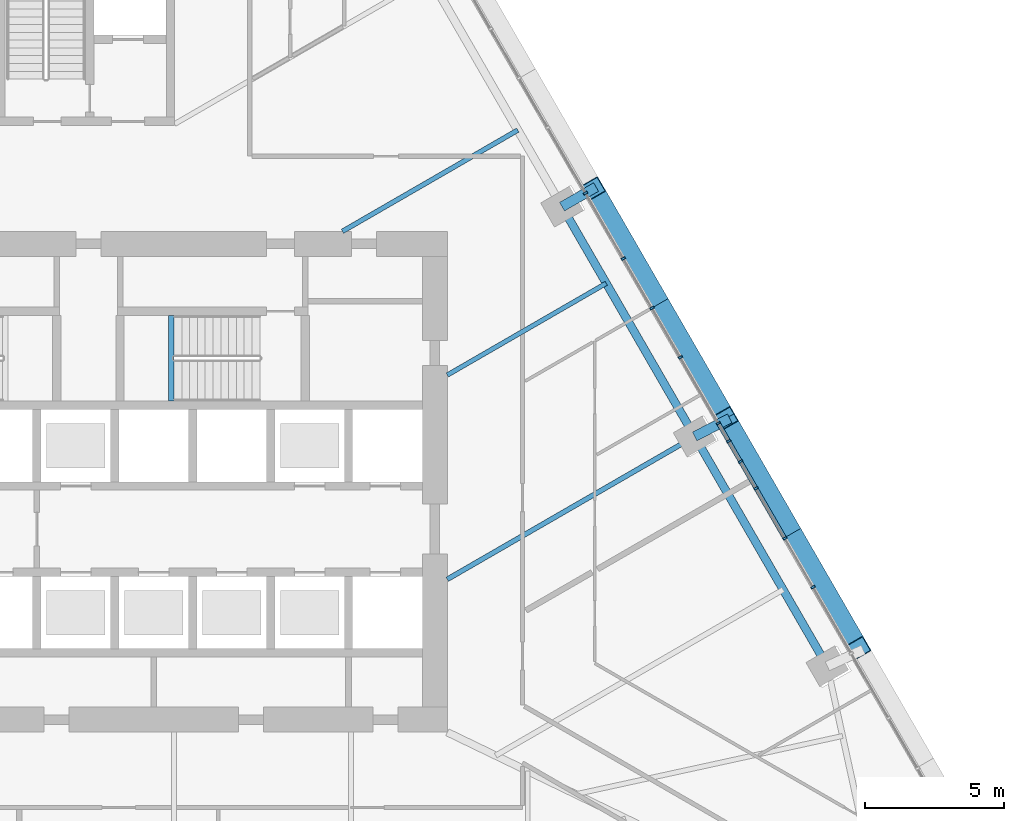
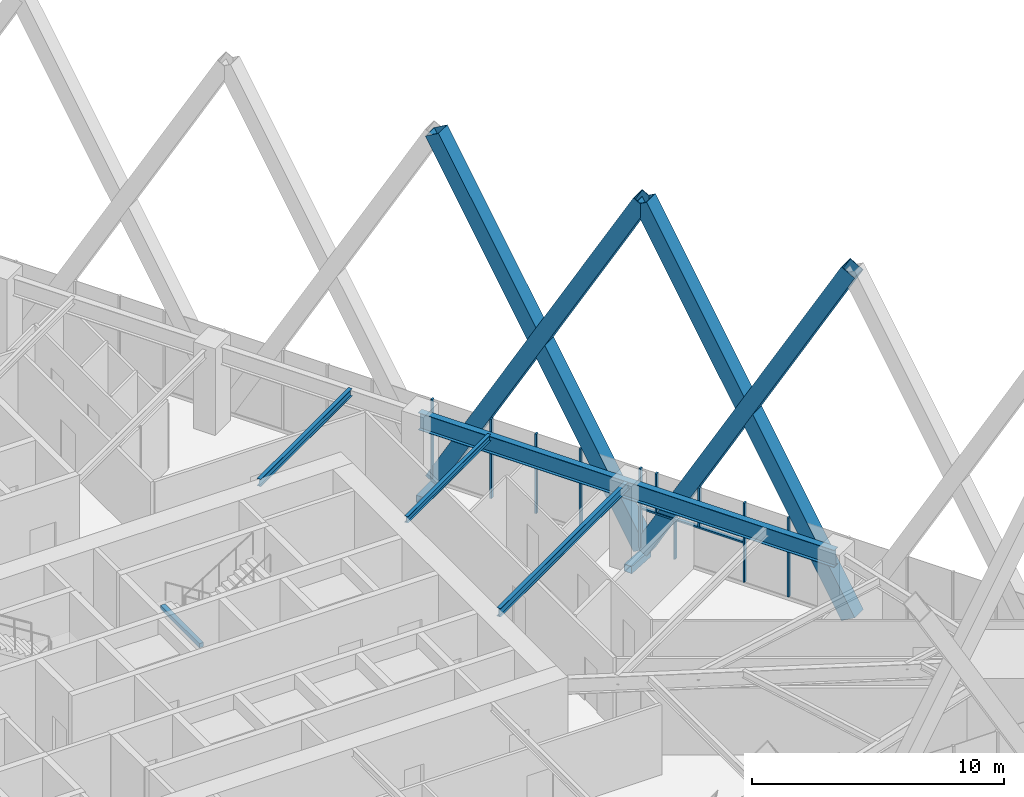
# One storey, part 8 of 23: 17 members, 5 beams, 1 element without a shape of its own.
"""IFC4 building model written with IfcOpenShell, lengths in metres."""

from ifc_helpers import new_model, si_unit, direction, frame, origin, origin_2d, place, context, subcontext, project, spatial, rectangle, hollow_rectangle, i_section, extrude, material, layer, layer_set, material_profile, profile_set, type_object, element, aggregate, save


model = new_model("IFC4")

# Units and contexts
model_context = context("Model", 3, precision=1e-05, world=origin(), true_north=direction((0.0, 1.0)))
body_context = subcontext(model_context, "Body", "Model", "MODEL_VIEW")
ifc_project = project(units=[si_unit("LENGTHUNIT", "METRE"), si_unit("AREAUNIT", "SQUARE_METRE"), si_unit("VOLUMEUNIT", "CUBIC_METRE"), si_unit("PLANEANGLEUNIT", "RADIAN"), si_unit("MASSUNIT", "GRAM", prefix="KILO")], contexts=[model_context])

# Site, building, storey
site_placement = place(None, origin())
site = spatial("IfcSite", under=ifc_project, at=site_placement, CompositionType="ELEMENT")
building_placement = place(site_placement, origin())
building = spatial("IfcBuilding", under=site, at=building_placement, Name="Firuza Gate Tower and Library", CompositionType="ELEMENT")
storey_placement = place(building_placement, frame((0.0, 0.0, 56.800048828125)))
storey = spatial("IfcBuildingStorey", under=building, at=storey_placement, Name="L12", CompositionType="ELEMENT", Elevation=56.800048828125)

# Members
ifc_material_1 = material(Name="Steel S355", Category="steel")
ifc_material_profile_1 = material_profile(ifc_material_1, hollow_rectangle(XDim=0.699951171875, YDim=0.699951171875, WallThickness=0.030029296875, at=origin_2d()))
ifc_profile_set_1 = profile_set([ifc_material_profile_1], Name="Steel S355")
member_type_1 = type_object("IfcMemberType", Name="BU700x700x30 Lattice brace", PredefinedType="BRACE", material=ifc_profile_set_1)
for number, where, z_axis, x_axis, name in (
    (1, (102.782470703125, 69.021484375, 0.0), (-0.246782210514, 0.427451661466, 0.86970317792), (-0.866031651222, -0.499989178965, 0.0), "Lattice brace E 2.2R"),
    (2, (98.015380859375, 77.278564453125, 0.0), (0.246782210514, -0.427451661466, 0.86970317792), (0.866031651222, 0.499989178965, 0.0), "Lattice brace E 2.2L"),
):
    element("IfcMember", number, at=place(storey_placement, frame(where, z_axis=z_axis, x_axis=x_axis)), inside=storey, type_object=member_type_1, Name=name, PredefinedType="BRACE", context=body_context, shape_type="SweptSolid", body=[
        extrude(hollow_rectangle(XDim=0.699951171875, YDim=0.699951171875, WallThickness=0.030029296875, at=origin_2d()), origin(), (0.0, 0.0, 1.0), 19.31689453125),
    ])
for number, where, z_axis, x_axis, name in (
    (3, (98.015380859375, 77.278564453125, 0.0), (-0.246794079392, 0.427450328219, 0.869700465265), (-0.866020563445, -0.50000838362, 0.0), "Lattice brace E 2.3R"),
    (4, (93.248046875, 85.53564453125, 0.0), (0.246794079392, -0.427450328219, 0.869700465265), (0.866020563445, 0.50000838362, 0.0), "Lattice brace E 2.3L"),
):
    element("IfcMember", number, at=place(storey_placement, frame(where, z_axis=z_axis, x_axis=x_axis)), inside=storey, type_object=member_type_1, Name=name, PredefinedType="BRACE", context=body_context, shape_type="SweptSolid", body=[
        extrude(hollow_rectangle(XDim=0.699951171875, YDim=0.699951171875, WallThickness=0.030029296875, at=origin_2d()), origin(), (0.0, 0.0, 1.0), 19.317138671875),
    ])

# Curtain wall, members
ifc_material_2 = material(Name="Aluminium 6063-T6", Category="aluminium")
ifc_layer = layer(ifc_material_2, 0.14990234375)
ifc_layer_set = layer_set([ifc_layer], Name="Unitised curtain wall, offices")
curtain_wall_type = type_object("IfcCurtainWallType", Name="Unitised curtain wall, offices", PredefinedType="NOTDEFINED", material=ifc_layer_set)
curtain_wall_placement = place(storey_placement, origin())
curtain_wall = element("IfcCurtainWall", 5, at=curtain_wall_placement, inside=storey, type_object=curtain_wall_type, Name="CW1 L12 E face", PredefinedType="NOTDEFINED")
ifc_material_3 = material(Name="Aluminium 6063-T6", Category="aluminium")
ifc_material_profile_2 = material_profile(ifc_material_3, rectangle(XDim=0.14990234375, YDim=0.080078125, at=origin_2d()))
ifc_profile_set_2 = profile_set([ifc_material_profile_2], Name="Aluminium 6063-T6")
member_type_2 = type_object("IfcMemberType", Name="Curtain wall mullion 80x150", PredefinedType="MULLION", material=ifc_profile_set_2)
member_1_placement = place(storey_placement, frame((100.12841796875, 72.96875, 0.14990234375), z_axis=(0.0, 0.0, 1.0), x_axis=(-0.866025403784, -0.5, 0.0)))
member_1 = element("IfcMember", 6, at=member_1_placement, type_object=member_type_2, Name="Mullion", PredefinedType="MULLION", context=body_context, shape_type="SweptSolid", body=[
    extrude(rectangle(XDim=0.14990234375, YDim=0.080078125, at=origin_2d()), origin(), (0.0, 0.0, 1.0), 3.85009765625),
])
member_2_placement = place(storey_placement, frame((97.740966796875, 77.103515625, 0.14990234375), z_axis=(0.0, 0.0, 1.0), x_axis=(-0.866025403784, -0.5, 0.0)))
member_2 = element("IfcMember", 7, at=member_2_placement, type_object=member_type_2, Name="Mullion", PredefinedType="MULLION", context=body_context, shape_type="SweptSolid", body=[
    extrude(rectangle(XDim=0.14990234375, YDim=0.080078125, at=origin_2d()), origin(), (0.0, 0.0, 1.0), 3.85009765625),
])
member_3_placement = place(storey_placement, frame((95.353759765625, 81.23828125, 0.14990234375), z_axis=(0.0, 0.0, 1.0), x_axis=(-0.866025403784, -0.5, 0.0)))
member_3 = element("IfcMember", 8, at=member_3_placement, type_object=member_type_2, Name="Mullion", PredefinedType="MULLION", context=body_context, shape_type="SweptSolid", body=[
    extrude(rectangle(XDim=0.14990234375, YDim=0.080078125, at=origin_2d()), origin(), (0.0, 0.0, 1.0), 3.85009765625),
])
member_4_placement = place(storey_placement, frame((92.966552734375, 85.373046875, 0.14990234375), z_axis=(0.0, 0.0, 1.0), x_axis=(-0.866025403784, -0.5, 0.0)))
member_4 = element("IfcMember", 9, at=member_4_placement, type_object=member_type_2, Name="Mullion", PredefinedType="MULLION", context=body_context, shape_type="SweptSolid", body=[
    extrude(rectangle(XDim=0.14990234375, YDim=0.080078125, at=origin_2d()), origin(), (0.0, 0.0, 1.0), 3.85009765625),
])
member_5_placement = place(storey_placement, frame((101.142333984375, 71.21240234375, 0.14990234375), z_axis=(0.0, 0.0, 1.0), x_axis=(-0.866025403784, -0.5, 0.0)))
member_5 = element("IfcMember", 10, at=member_5_placement, type_object=member_type_2, Name="Mullion", PredefinedType="MULLION", context=body_context, shape_type="SweptSolid", body=[
    extrude(rectangle(XDim=0.14990234375, YDim=0.080078125, at=origin_2d()), origin(), (0.0, 0.0, 1.0), 3.85009765625),
])
member_6_placement = place(storey_placement, frame((98.53515625, 75.728271484375, 0.14990234375), z_axis=(0.0, 0.0, 1.0), x_axis=(-0.866025403784, -0.5, 0.0)))
member_6 = element("IfcMember", 11, at=member_6_placement, type_object=member_type_2, Name="Mullion", PredefinedType="MULLION", context=body_context, shape_type="SweptSolid", body=[
    extrude(rectangle(XDim=0.14990234375, YDim=0.080078125, at=origin_2d()), origin(), (0.0, 0.0, 1.0), 1.885009765625),
])
member_7_placement = place(storey_placement, frame((99.092529296875, 74.762451171875, 2.114990234375), z_axis=(0.0, 0.0, 1.0), x_axis=(-0.866025403784, -0.5, 0.0)))
member_7 = element("IfcMember", 12, at=member_7_placement, type_object=member_type_2, Name="Mullion", PredefinedType="MULLION", context=body_context, shape_type="SweptSolid", body=[
    extrude(rectangle(XDim=0.14990234375, YDim=0.080078125, at=origin_2d()), origin(), (0.0, 0.0, 1.0), 1.885009765625),
])
member_8_placement = place(storey_placement, frame((98.1103515625, 76.4638671875, 2.114990234375), z_axis=(0.0, 0.0, 1.0), x_axis=(-0.866025403784, -0.5, 0.0)))
member_8 = element("IfcMember", 13, at=member_8_placement, type_object=member_type_2, Name="Mullion", PredefinedType="MULLION", context=body_context, shape_type="SweptSolid", body=[
    extrude(rectangle(XDim=0.14990234375, YDim=0.080078125, at=origin_2d()), origin(), (0.0, 0.0, 1.0), 1.885009765625),
])
member_9_placement = place(storey_placement, frame((96.375, 79.469482421875, 0.14990234375), z_axis=(0.0, 0.0, 1.0), x_axis=(-0.866025403784, -0.5, 0.0)))
member_9 = element("IfcMember", 14, at=member_9_placement, type_object=member_type_2, Name="Mullion", PredefinedType="MULLION", context=body_context, shape_type="SweptSolid", body=[
    extrude(rectangle(XDim=0.14990234375, YDim=0.080078125, at=origin_2d()), origin(), (0.0, 0.0, 1.0), 3.85009765625),
])
member_10_placement = place(storey_placement, frame((94.325439453125, 83.01953125, 0.14990234375), z_axis=(0.0, 0.0, 1.0), x_axis=(-0.866025403784, -0.5, 0.0)))
member_10 = element("IfcMember", 15, at=member_10_placement, type_object=member_type_2, Name="Mullion", PredefinedType="MULLION", context=body_context, shape_type="SweptSolid", body=[
    extrude(rectangle(XDim=0.14990234375, YDim=0.080078125, at=origin_2d()), origin(), (0.0, 0.0, 1.0), 3.85009765625),
])
ifc_material_4 = material(Name="Aluminium 6063-T6", Category="aluminium")
ifc_material_profile_3 = material_profile(ifc_material_4, rectangle(XDim=0.14990234375, YDim=0.080078125, at=origin_2d()))
ifc_profile_set_3 = profile_set([ifc_material_profile_3], Name="Aluminium 6063-T6")
member_type_3 = type_object("IfcMemberType", Name="Curtain wall transom 80x150", PredefinedType="USERDEFINED", material=ifc_profile_set_3)
member_11_placement = place(storey_placement, frame((100.1083984375, 73.00341796875, 2.074951171875), z_axis=(-0.500037573236, 0.86600370978, 0.0), x_axis=(-0.86600370978, -0.500037573236, 0.0)))
member_11 = element("IfcMember", 16, at=member_11_placement, type_object=member_type_3, Name="Transom", ObjectType="TRANSOM", PredefinedType="USERDEFINED", context=body_context, shape_type="SweptSolid", body=[
    extrude(rectangle(XDim=0.14990234375, YDim=0.080078125, at=origin_2d()), origin(), (0.0, 0.0, 1.0), 4.694580078125),
])
aggregate(curtain_wall, [member_1, member_2, member_3, member_4, member_5, member_6, member_7, member_8, member_11, member_9, member_10])

# Members
ifc_material_5 = material(Name="Steel S355", Category="steel")
ifc_material_profile_4 = material_profile(ifc_material_5, hollow_rectangle(XDim=0.355712890625, YDim=0.355712890625, WallThickness=0.014892578125, at=origin_2d()))
ifc_profile_set_4 = profile_set([ifc_material_profile_4], Name="Steel S355")
member_type_4 = type_object("IfcMemberType", Name="HSS356x356x16 Lattice node tie", PredefinedType="BRACE", material=ifc_profile_set_4)
member_12_placement = place(storey_placement, frame((92.122314453125, 84.885498046875, -0.320068359375), z_axis=(0.866013007135, 0.500021471012, 0.0), x_axis=(-0.500021471012, 0.866013007135, 0.0)))
element("IfcMember", 17, at=member_12_placement, inside=storey, type_object=member_type_4, Name="Lattice node tie E L12 25", PredefinedType="BRACE", context=body_context, shape_type="SweptSolid", body=[
    extrude(hollow_rectangle(XDim=0.355712890625, YDim=0.355712890625, WallThickness=0.014892578125, at=origin_2d()), origin(), (0.0, 0.0, 1.0), 1.41357421875),
])
member_13_placement = place(storey_placement, frame((96.889404296875, 76.62841796875, -0.320068359375), z_axis=(0.888237061505, 0.459385374789, 0.0), x_axis=(-0.459385374789, 0.888237061505, 0.0)))
element("IfcMember", 18, at=member_13_placement, inside=storey, type_object=member_type_4, Name="Lattice node tie E L12 26", PredefinedType="BRACE", context=body_context, shape_type="SweptSolid", body=[
    extrude(hollow_rectangle(XDim=0.355712890625, YDim=0.355712890625, WallThickness=0.014892578125, at=origin_2d()), origin(), (0.0, 0.0, 1.0), 1.415283203125),
])

# Beams
ifc_material_6 = material(Name="Concrete C35/45", Category="concrete")
ifc_material_profile_5 = material_profile(ifc_material_6, rectangle(XDim=0.199951171875, YDim=0.199951171875, at=origin_2d()))
ifc_profile_set_5 = profile_set([ifc_material_profile_5], Name="Concrete C35/45")
beam_type_1 = type_object("IfcBeamType", Name="Stair landing bearer 200x200", PredefinedType="BEAM", material=ifc_profile_set_5)
beam_1_placement = place(storey_placement, frame((78.080078125, 80.97998046875, 1.800048828125), z_axis=(0.0, -1.0, 0.0), x_axis=(1.0, 0.0, 0.0)))
element("IfcBeam", 19, at=beam_1_placement, inside=storey, type_object=beam_type_1, Name="Landing bearer L12 stair 2", PredefinedType="BEAM", context=body_context, shape_type="SweptSolid", body=[
    extrude(rectangle(XDim=0.199951171875, YDim=0.199951171875, at=origin_2d()), origin(), (0.0, 0.0, 1.0), 3.080078125),
])
ifc_material_7 = material(Name="Steel S355", Category="steel")
ifc_material_profile_6 = material_profile(ifc_material_7, i_section(OverallWidth=0.1650390625, OverallDepth=0.31005859375, WebThickness=0.005859375, FlangeThickness=0.009765625, at=origin_2d()))
ifc_profile_set_6 = profile_set([ifc_material_profile_6], Name="Steel S355")
beam_type_2 = type_object("IfcBeamType", Name="W310x39 Floor beam", PredefinedType="JOIST", material=ifc_profile_set_6)
beam_2_placement = place(storey_placement, frame((93.71142578125, 82.13330078125, 3.844970703125), z_axis=(-0.866017904993, -0.500012988063, 0.0), x_axis=(0.500012988063, -0.866017904993, 0.0)))
element("IfcBeam", 20, at=beam_2_placement, inside=storey, type_object=beam_type_2, Name="Floor beam L12 s52", PredefinedType="JOIST", context=body_context, shape_type="SweptSolid", body=[
    extrude(i_section(OverallWidth=0.1650390625, OverallDepth=0.31005859375, WebThickness=0.005859375, FlangeThickness=0.009765625, at=origin_2d()), origin(), (0.0, 0.0, 1.0), 6.594970703125),
])
ifc_material_8 = material(Name="Steel S355", Category="steel")
ifc_material_profile_7 = material_profile(ifc_material_8, i_section(OverallWidth=0.1708984375, OverallDepth=0.35498046875, WebThickness=0.007080078125, FlangeThickness=0.01171875, at=origin_2d()))
ifc_profile_set_7 = profile_set([ifc_material_profile_7], Name="Steel S355")
beam_type_3 = type_object("IfcBeamType", Name="W360x51 Floor beam", PredefinedType="JOIST", material=ifc_profile_set_7)
beam_3_placement = place(storey_placement, frame((90.533203125, 87.637939453125, 3.822509765625), z_axis=(-0.866022978719, -0.500004200313, 0.0), x_axis=(0.500004200313, -0.866022978719, 0.0)))
element("IfcBeam", 21, at=beam_3_placement, inside=storey, type_object=beam_type_3, Name="Floor beam L12 s53", PredefinedType="JOIST", context=body_context, shape_type="SweptSolid", body=[
    extrude(i_section(OverallWidth=0.1708984375, OverallDepth=0.35498046875, WebThickness=0.007080078125, FlangeThickness=0.01171875, at=origin_2d()), origin(), (0.0, 0.0, 1.0), 7.27587890625),
])
ifc_material_9 = material(Name="Steel S355", Category="steel")
ifc_material_profile_8 = material_profile(ifc_material_9, i_section(OverallWidth=0.177978515625, OverallDepth=0.406982421875, WebThickness=0.0078125, FlangeThickness=0.0126953125, at=origin_2d()))
ifc_profile_set_8 = profile_set([ifc_material_profile_8], Name="Steel S355")
beam_type_4 = type_object("IfcBeamType", Name="W410x60 Floor beam", PredefinedType="JOIST", material=ifc_profile_set_8)
beam_4_placement = place(storey_placement, frame((96.889404296875, 76.62841796875, 3.79638671875), z_axis=(-0.866024380585, -0.50000177223, 0.0), x_axis=(0.50000177223, -0.866024380585, 0.0)))
element("IfcBeam", 22, at=beam_4_placement, inside=storey, type_object=beam_type_4, Name="Floor beam L12 s51", PredefinedType="JOIST", context=body_context, shape_type="SweptSolid", body=[
    extrude(i_section(OverallWidth=0.177978515625, OverallDepth=0.406982421875, WebThickness=0.0078125, FlangeThickness=0.0126953125, at=origin_2d()), origin(), (0.0, 0.0, 1.0), 10.2646484375),
])
ifc_material_10 = material(Name="Steel S355", Category="steel")
ifc_material_profile_9 = material_profile(ifc_material_10, i_section(OverallWidth=0.2919921875, OverallDepth=0.8349609375, WebThickness=0.013916015625, FlangeThickness=0.018798828125, at=origin_2d()))
ifc_profile_set_9 = profile_set([ifc_material_profile_9], Name="Steel S355")
beam_type_5 = type_object("IfcBeamType", Name="W840x176 Edge beam", PredefinedType="SPANDREL", material=ifc_profile_set_9)
beam_5_placement = place(storey_placement, frame((101.65673828125, 68.371337890625, 3.58251953125), z_axis=(-0.499998781384, 0.866026107351, 0.0), x_axis=(-0.866026107351, -0.499998781384, 0.0)))
element("IfcBeam", 23, at=beam_5_placement, inside=storey, type_object=beam_type_5, Name="Edge beam L12 e50", PredefinedType="SPANDREL", context=body_context, shape_type="SweptSolid", body=[
    extrude(i_section(OverallWidth=0.2919921875, OverallDepth=0.8349609375, WebThickness=0.013916015625, FlangeThickness=0.018798828125, at=origin_2d()), origin(), (0.0, 0.0, 1.0), 19.06884765625),
])

save(model, "model.ifc")
